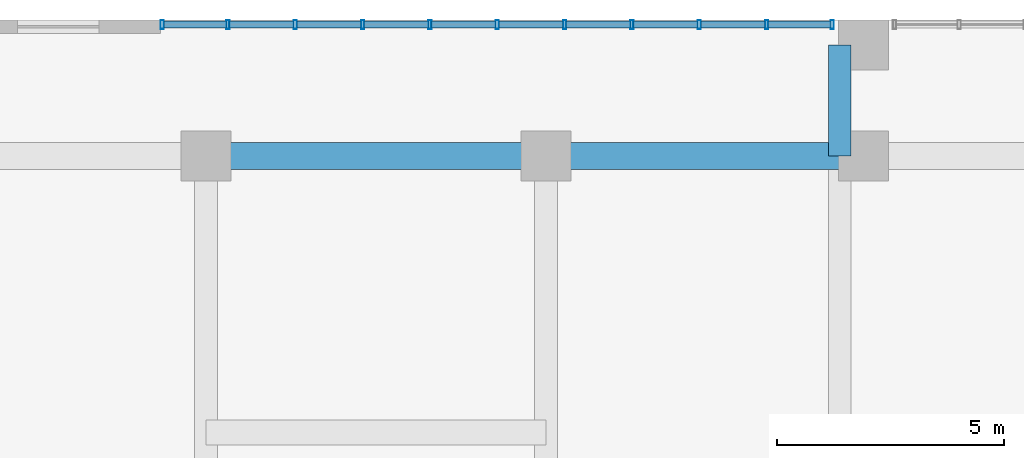
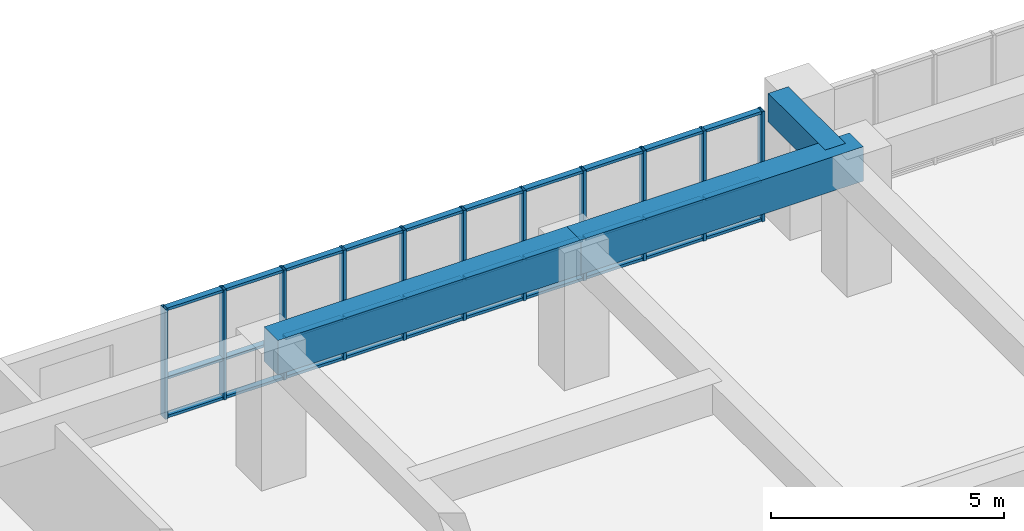
# One storey, part 10 of 30: 41 members, 3 beams, 1 element without a shape of its own.
"""IFC4 building model written with IfcOpenShell, lengths in metres."""

from ifc_helpers import new_model, si_unit, direction, frame, origin, origin_2d, place, context, subcontext, project, spatial, rectangle, hollow_rectangle, extrude, source, transform, mapped, material, layer, layer_set, material_profile, profile_set, type_object, element, aggregate, save


model = new_model("IFC4")

# Units and contexts
model_context = context("Model", 3, precision=1e-05, world=origin(), true_north=direction((0.0, 1.0)))
body_context = subcontext(model_context, "Body", "Model", "MODEL_VIEW")
ifc_project = project(units=[si_unit("LENGTHUNIT", "METRE"), si_unit("AREAUNIT", "SQUARE_METRE"), si_unit("VOLUMEUNIT", "CUBIC_METRE"), si_unit("PLANEANGLEUNIT", "RADIAN"), si_unit("MASSUNIT", "GRAM", prefix="KILO")], contexts=[model_context])

# Site, building, storey
site_placement = place(None, origin())
site = spatial("IfcSite", under=ifc_project, at=site_placement, CompositionType="ELEMENT")
building_placement = place(site_placement, origin())
building = spatial("IfcBuilding", under=site, at=building_placement, Name="Saelheon Loggia Tower", CompositionType="ELEMENT")
storey_placement = place(building_placement, frame((0.0, 0.0, 7.800048828125)))
storey = spatial("IfcBuildingStorey", under=building, at=storey_placement, Name="L02", CompositionType="ELEMENT", Elevation=7.800048828125)

# Beams
ifc_material_1 = material(Name="Concrete C50/60", Category="concrete")
ifc_material_profile_1 = material_profile(ifc_material_1, rectangle(XDim=0.60009765625, YDim=0.89990234375, at=origin_2d()), Name="RC-600x900")
ifc_profile_set_1 = profile_set([ifc_material_profile_1], Name="Concrete C50/60")
beam_type_1 = type_object("IfcBeamType", Name="Beam_MainGirder_RC600x900", PredefinedType="BEAM", material=ifc_profile_set_1)
shared_shape_1 = source(origin(), body_context, "Body", "SweptSolid", [
    extrude(rectangle(XDim=0.60009765625, YDim=0.89990234375, at=origin_2d()), origin(), (0.0, 0.0, 1.0), 7.5),
])
beam_1_placement = place(storey_placement, frame((17.0, 51.0, 3.14990234375), z_axis=(1.0, 0.0, 0.0), x_axis=(0.0, 1.0, 0.0)))
element("IfcBeam", 1, at=beam_1_placement, inside=storey, type_object=beam_type_1, Name="BM-L02-EW-51-3", PredefinedType="BEAM", context=body_context, shape_type="MappedRepresentation", body=[
    mapped(shared_shape_1, transform((0.0, 0.0, 0.0), scale=1.0)),
])
shared_shape_2 = source(origin(), body_context, "Body", "SweptSolid", [
    extrude(rectangle(XDim=0.60009765625, YDim=0.89990234375, at=origin_2d()), origin(), (0.0, 0.0, 1.0), 7.0),
])
beam_2_placement = place(storey_placement, frame((24.5, 51.0, 3.14990234375), z_axis=(1.0, 0.0, 0.0), x_axis=(0.0, 1.0, 0.0)))
element("IfcBeam", 2, at=beam_2_placement, inside=storey, type_object=beam_type_1, Name="BM-L02-EW-51-4", PredefinedType="BEAM", context=body_context, shape_type="MappedRepresentation", body=[
    mapped(shared_shape_2, transform((0.0, 0.0, 0.0), scale=1.0)),
])
ifc_material_2 = material(Name="Concrete C45/55", Category="concrete")
ifc_material_profile_2 = material_profile(ifc_material_2, rectangle(XDim=0.5, YDim=0.75, at=origin_2d()), Name="RC-500x750")
ifc_profile_set_2 = profile_set([ifc_material_profile_2], Name="Concrete C45/55")
beam_type_2 = type_object("IfcBeamType", Name="Beam_FloorGirder_RC500x750", PredefinedType="BEAM", material=ifc_profile_set_2)
shared_shape_3 = source(origin(), body_context, "Body", "SweptSolid", [
    extrude(rectangle(XDim=0.5, YDim=0.75, at=origin_2d()), origin(), (0.0, 0.0, 1.0), 2.449951171875),
])
beam_3_placement = place(storey_placement, frame((30.97998046875, 51.0, 3.224853515625), z_axis=(0.0, 1.0, 0.0), x_axis=(-1.0, 0.0, 0.0)))
element("IfcBeam", 3, at=beam_3_placement, inside=storey, type_object=beam_type_2, Name="BM-L02-NS-30-7", PredefinedType="BEAM", context=body_context, shape_type="MappedRepresentation", body=[
    mapped(shared_shape_3, transform((0.0, 0.0, 0.0), scale=1.0)),
])

# Curtain wall, members
ifc_material_3 = material(Name="Aluminium 6063-T6 and Low-E IGU", Category="aluminium")
ifc_layer = layer(ifc_material_3, 0.179931640625)
ifc_layer_set = layer_set([ifc_layer], Name="Aluminium 6063-T6 and Low-E IGU")
curtain_wall_type = type_object("IfcCurtainWallType", Name="CW_PodiumClinic", PredefinedType="NOTDEFINED", material=ifc_layer_set)
curtain_wall_placement = place(storey_placement, origin())
curtain_wall = element("IfcCurtainWall", 4, at=curtain_wall_placement, inside=storey, type_object=curtain_wall_type, Name="L02 North Clinic Curtain Wall 1", PredefinedType="NOTDEFINED")
ifc_material_4 = material(Name="Anodised Aluminium 6063-T6", Category="aluminium")
ifc_material_profile_3 = material_profile(ifc_material_4, hollow_rectangle(XDim=0.070068359375, YDim=0.14990234375, WallThickness=0.0048828125, at=origin_2d()), Name="RHS-150x70x5")
ifc_profile_set_3 = profile_set([ifc_material_profile_3], Name="Anodised Aluminium 6063-T6")
member_type_1 = type_object("IfcMemberType", Name="CW_PodiumClinic_Transom", PredefinedType="USERDEFINED", material=ifc_profile_set_3)
shared_shape_4 = source(origin(), body_context, "Body", "SweptSolid", [
    extrude(hollow_rectangle(XDim=0.070068359375, YDim=0.14990234375, WallThickness=0.0048828125, at=origin_2d()), origin(), (0.0, 0.0, 1.0), 1.3798828125),
])
member_1_placement = place(storey_placement, frame((16.070068359375, 53.89990234375, 0.034912109375), z_axis=(1.0, 0.0, 0.0), x_axis=(0.0, 0.0, 1.0)))
member_1 = element("IfcMember", 5, at=member_1_placement, type_object=member_type_1, Name="CW1 transom 1.1", ObjectType="TRANSOM", PredefinedType="USERDEFINED", context=body_context, shape_type="MappedRepresentation", body=[
    mapped(shared_shape_4, transform((0.0, 0.0, 0.0), scale=1.0)),
])
member_2_placement = place(storey_placement, frame((16.070068359375, 53.89990234375, 1.050048828125), z_axis=(1.0, 0.0, 0.0), x_axis=(0.0, 0.0, 1.0)))
member_2 = element("IfcMember", 6, at=member_2_placement, type_object=member_type_1, Name="CW1 transom 1.2", ObjectType="TRANSOM", PredefinedType="USERDEFINED", context=body_context, shape_type="MappedRepresentation", body=[
    mapped(shared_shape_4, transform((0.0, 0.0, 0.0), scale=1.0)),
])
member_3_placement = place(storey_placement, frame((16.070068359375, 53.89990234375, 2.844970703125), z_axis=(1.0, 0.0, 0.0), x_axis=(0.0, 0.0, 1.0)))
member_3 = element("IfcMember", 7, at=member_3_placement, type_object=member_type_1, Name="CW1 transom 1.3", ObjectType="TRANSOM", PredefinedType="USERDEFINED", context=body_context, shape_type="MappedRepresentation", body=[
    mapped(shared_shape_4, transform((0.0, 0.0, 0.0), scale=1.0)),
])
shared_shape_5 = source(origin(), body_context, "Body", "SweptSolid", [
    extrude(hollow_rectangle(XDim=0.070068359375, YDim=0.14990234375, WallThickness=0.0048828125, at=origin_2d()), origin(), (0.0, 0.0, 1.0), 1.4150390625),
])
member_4_placement = place(storey_placement, frame((17.52001953125, 53.89990234375, 0.034912109375), z_axis=(1.0, 0.0, 0.0), x_axis=(0.0, 0.0, 1.0)))
member_4 = element("IfcMember", 8, at=member_4_placement, type_object=member_type_1, Name="CW1 transom 2.1", ObjectType="TRANSOM", PredefinedType="USERDEFINED", context=body_context, shape_type="MappedRepresentation", body=[
    mapped(shared_shape_5, transform((0.0, 0.0, 0.0), scale=1.0)),
])
member_5_placement = place(storey_placement, frame((17.52001953125, 53.89990234375, 1.050048828125), z_axis=(1.0, 0.0, 0.0), x_axis=(0.0, 0.0, 1.0)))
member_5 = element("IfcMember", 9, at=member_5_placement, type_object=member_type_1, Name="CW1 transom 2.2", ObjectType="TRANSOM", PredefinedType="USERDEFINED", context=body_context, shape_type="MappedRepresentation", body=[
    mapped(shared_shape_5, transform((0.0, 0.0, 0.0), scale=1.0)),
])
member_6_placement = place(storey_placement, frame((17.52001953125, 53.89990234375, 2.844970703125), z_axis=(1.0, 0.0, 0.0), x_axis=(0.0, 0.0, 1.0)))
member_6 = element("IfcMember", 10, at=member_6_placement, type_object=member_type_1, Name="CW1 transom 2.3", ObjectType="TRANSOM", PredefinedType="USERDEFINED", context=body_context, shape_type="MappedRepresentation", body=[
    mapped(shared_shape_5, transform((0.0, 0.0, 0.0), scale=1.0)),
])
member_7_placement = place(storey_placement, frame((19.0048828125, 53.89990234375, 0.034912109375), z_axis=(1.0, 0.0, 0.0), x_axis=(0.0, 0.0, 1.0)))
member_7 = element("IfcMember", 11, at=member_7_placement, type_object=member_type_1, Name="CW1 transom 3.1", ObjectType="TRANSOM", PredefinedType="USERDEFINED", context=body_context, shape_type="MappedRepresentation", body=[
    mapped(shared_shape_5, transform((0.0, 0.0, 0.0), scale=1.0)),
])
member_8_placement = place(storey_placement, frame((19.0048828125, 53.89990234375, 1.050048828125), z_axis=(1.0, 0.0, 0.0), x_axis=(0.0, 0.0, 1.0)))
member_8 = element("IfcMember", 12, at=member_8_placement, type_object=member_type_1, Name="CW1 transom 3.2", ObjectType="TRANSOM", PredefinedType="USERDEFINED", context=body_context, shape_type="MappedRepresentation", body=[
    mapped(shared_shape_5, transform((0.0, 0.0, 0.0), scale=1.0)),
])
member_9_placement = place(storey_placement, frame((19.0048828125, 53.89990234375, 2.844970703125), z_axis=(1.0, 0.0, 0.0), x_axis=(0.0, 0.0, 1.0)))
member_9 = element("IfcMember", 13, at=member_9_placement, type_object=member_type_1, Name="CW1 transom 3.3", ObjectType="TRANSOM", PredefinedType="USERDEFINED", context=body_context, shape_type="MappedRepresentation", body=[
    mapped(shared_shape_5, transform((0.0, 0.0, 0.0), scale=1.0)),
])
member_10_placement = place(storey_placement, frame((20.489990234375, 53.89990234375, 0.034912109375), z_axis=(1.0, 0.0, 0.0), x_axis=(0.0, 0.0, 1.0)))
member_10 = element("IfcMember", 14, at=member_10_placement, type_object=member_type_1, Name="CW1 transom 4.1", ObjectType="TRANSOM", PredefinedType="USERDEFINED", context=body_context, shape_type="MappedRepresentation", body=[
    mapped(shared_shape_5, transform((0.0, 0.0, 0.0), scale=1.0)),
])
member_11_placement = place(storey_placement, frame((20.489990234375, 53.89990234375, 1.050048828125), z_axis=(1.0, 0.0, 0.0), x_axis=(0.0, 0.0, 1.0)))
member_11 = element("IfcMember", 15, at=member_11_placement, type_object=member_type_1, Name="CW1 transom 4.2", ObjectType="TRANSOM", PredefinedType="USERDEFINED", context=body_context, shape_type="MappedRepresentation", body=[
    mapped(shared_shape_5, transform((0.0, 0.0, 0.0), scale=1.0)),
])
member_12_placement = place(storey_placement, frame((20.489990234375, 53.89990234375, 2.844970703125), z_axis=(1.0, 0.0, 0.0), x_axis=(0.0, 0.0, 1.0)))
member_12 = element("IfcMember", 16, at=member_12_placement, type_object=member_type_1, Name="CW1 transom 4.3", ObjectType="TRANSOM", PredefinedType="USERDEFINED", context=body_context, shape_type="MappedRepresentation", body=[
    mapped(shared_shape_5, transform((0.0, 0.0, 0.0), scale=1.0)),
])
member_13_placement = place(storey_placement, frame((23.4599609375, 53.89990234375, 0.034912109375), z_axis=(1.0, 0.0, 0.0), x_axis=(0.0, 0.0, 1.0)))
member_13 = element("IfcMember", 17, at=member_13_placement, type_object=member_type_1, Name="CW1 transom 6.1", ObjectType="TRANSOM", PredefinedType="USERDEFINED", context=body_context, shape_type="MappedRepresentation", body=[
    mapped(shared_shape_5, transform((0.0, 0.0, 0.0), scale=1.0)),
])
member_14_placement = place(storey_placement, frame((23.4599609375, 53.89990234375, 1.050048828125), z_axis=(1.0, 0.0, 0.0), x_axis=(0.0, 0.0, 1.0)))
member_14 = element("IfcMember", 18, at=member_14_placement, type_object=member_type_1, Name="CW1 transom 6.2", ObjectType="TRANSOM", PredefinedType="USERDEFINED", context=body_context, shape_type="MappedRepresentation", body=[
    mapped(shared_shape_5, transform((0.0, 0.0, 0.0), scale=1.0)),
])
member_15_placement = place(storey_placement, frame((23.4599609375, 53.89990234375, 2.844970703125), z_axis=(1.0, 0.0, 0.0), x_axis=(0.0, 0.0, 1.0)))
member_15 = element("IfcMember", 19, at=member_15_placement, type_object=member_type_1, Name="CW1 transom 6.3", ObjectType="TRANSOM", PredefinedType="USERDEFINED", context=body_context, shape_type="MappedRepresentation", body=[
    mapped(shared_shape_5, transform((0.0, 0.0, 0.0), scale=1.0)),
])
member_16_placement = place(storey_placement, frame((24.945068359375, 53.89990234375, 0.034912109375), z_axis=(1.0, 0.0, 0.0), x_axis=(0.0, 0.0, 1.0)))
member_16 = element("IfcMember", 20, at=member_16_placement, type_object=member_type_1, Name="CW1 transom 7.1", ObjectType="TRANSOM", PredefinedType="USERDEFINED", context=body_context, shape_type="MappedRepresentation", body=[
    mapped(shared_shape_5, transform((0.0, 0.0, 0.0), scale=1.0)),
])
member_17_placement = place(storey_placement, frame((24.945068359375, 53.89990234375, 1.050048828125), z_axis=(1.0, 0.0, 0.0), x_axis=(0.0, 0.0, 1.0)))
member_17 = element("IfcMember", 21, at=member_17_placement, type_object=member_type_1, Name="CW1 transom 7.2", ObjectType="TRANSOM", PredefinedType="USERDEFINED", context=body_context, shape_type="MappedRepresentation", body=[
    mapped(shared_shape_5, transform((0.0, 0.0, 0.0), scale=1.0)),
])
member_18_placement = place(storey_placement, frame((24.945068359375, 53.89990234375, 2.844970703125), z_axis=(1.0, 0.0, 0.0), x_axis=(0.0, 0.0, 1.0)))
member_18 = element("IfcMember", 22, at=member_18_placement, type_object=member_type_1, Name="CW1 transom 7.3", ObjectType="TRANSOM", PredefinedType="USERDEFINED", context=body_context, shape_type="MappedRepresentation", body=[
    mapped(shared_shape_5, transform((0.0, 0.0, 0.0), scale=1.0)),
])
member_19_placement = place(storey_placement, frame((26.429931640625, 53.89990234375, 0.034912109375), z_axis=(1.0, 0.0, 0.0), x_axis=(0.0, 0.0, 1.0)))
member_19 = element("IfcMember", 23, at=member_19_placement, type_object=member_type_1, Name="CW1 transom 8.1", ObjectType="TRANSOM", PredefinedType="USERDEFINED", context=body_context, shape_type="MappedRepresentation", body=[
    mapped(shared_shape_5, transform((0.0, 0.0, 0.0), scale=1.0)),
])
member_20_placement = place(storey_placement, frame((26.429931640625, 53.89990234375, 1.050048828125), z_axis=(1.0, 0.0, 0.0), x_axis=(0.0, 0.0, 1.0)))
member_20 = element("IfcMember", 24, at=member_20_placement, type_object=member_type_1, Name="CW1 transom 8.2", ObjectType="TRANSOM", PredefinedType="USERDEFINED", context=body_context, shape_type="MappedRepresentation", body=[
    mapped(shared_shape_5, transform((0.0, 0.0, 0.0), scale=1.0)),
])
member_21_placement = place(storey_placement, frame((26.429931640625, 53.89990234375, 2.844970703125), z_axis=(1.0, 0.0, 0.0), x_axis=(0.0, 0.0, 1.0)))
member_21 = element("IfcMember", 25, at=member_21_placement, type_object=member_type_1, Name="CW1 transom 8.3", ObjectType="TRANSOM", PredefinedType="USERDEFINED", context=body_context, shape_type="MappedRepresentation", body=[
    mapped(shared_shape_5, transform((0.0, 0.0, 0.0), scale=1.0)),
])
member_22_placement = place(storey_placement, frame((27.9150390625, 53.89990234375, 0.034912109375), z_axis=(1.0, 0.0, 0.0), x_axis=(0.0, 0.0, 1.0)))
member_22 = element("IfcMember", 26, at=member_22_placement, type_object=member_type_1, Name="CW1 transom 9.1", ObjectType="TRANSOM", PredefinedType="USERDEFINED", context=body_context, shape_type="MappedRepresentation", body=[
    mapped(shared_shape_5, transform((0.0, 0.0, 0.0), scale=1.0)),
])
member_23_placement = place(storey_placement, frame((27.9150390625, 53.89990234375, 1.050048828125), z_axis=(1.0, 0.0, 0.0), x_axis=(0.0, 0.0, 1.0)))
member_23 = element("IfcMember", 27, at=member_23_placement, type_object=member_type_1, Name="CW1 transom 9.2", ObjectType="TRANSOM", PredefinedType="USERDEFINED", context=body_context, shape_type="MappedRepresentation", body=[
    mapped(shared_shape_5, transform((0.0, 0.0, 0.0), scale=1.0)),
])
member_24_placement = place(storey_placement, frame((27.9150390625, 53.89990234375, 2.844970703125), z_axis=(1.0, 0.0, 0.0), x_axis=(0.0, 0.0, 1.0)))
member_24 = element("IfcMember", 28, at=member_24_placement, type_object=member_type_1, Name="CW1 transom 9.3", ObjectType="TRANSOM", PredefinedType="USERDEFINED", context=body_context, shape_type="MappedRepresentation", body=[
    mapped(shared_shape_5, transform((0.0, 0.0, 0.0), scale=1.0)),
])
shared_shape_6 = source(origin(), body_context, "Body", "SweptSolid", [
    extrude(hollow_rectangle(XDim=0.070068359375, YDim=0.14990234375, WallThickness=0.0048828125, at=origin_2d()), origin(), (0.0, 0.0, 1.0), 1.414794921875),
])
member_25_placement = place(storey_placement, frame((21.97509765625, 53.89990234375, 0.034912109375), z_axis=(1.0, 0.0, 0.0), x_axis=(0.0, 0.0, 1.0)))
member_25 = element("IfcMember", 29, at=member_25_placement, type_object=member_type_1, Name="CW1 transom 5.1", ObjectType="TRANSOM", PredefinedType="USERDEFINED", context=body_context, shape_type="MappedRepresentation", body=[
    mapped(shared_shape_6, transform((0.0, 0.0, 0.0), scale=1.0)),
])
member_26_placement = place(storey_placement, frame((21.97509765625, 53.89990234375, 1.050048828125), z_axis=(1.0, 0.0, 0.0), x_axis=(0.0, 0.0, 1.0)))
member_26 = element("IfcMember", 30, at=member_26_placement, type_object=member_type_1, Name="CW1 transom 5.2", ObjectType="TRANSOM", PredefinedType="USERDEFINED", context=body_context, shape_type="MappedRepresentation", body=[
    mapped(shared_shape_6, transform((0.0, 0.0, 0.0), scale=1.0)),
])
member_27_placement = place(storey_placement, frame((21.97509765625, 53.89990234375, 2.844970703125), z_axis=(1.0, 0.0, 0.0), x_axis=(0.0, 0.0, 1.0)))
member_27 = element("IfcMember", 31, at=member_27_placement, type_object=member_type_1, Name="CW1 transom 5.3", ObjectType="TRANSOM", PredefinedType="USERDEFINED", context=body_context, shape_type="MappedRepresentation", body=[
    mapped(shared_shape_6, transform((0.0, 0.0, 0.0), scale=1.0)),
])
shared_shape_7 = source(origin(), body_context, "Body", "SweptSolid", [
    extrude(hollow_rectangle(XDim=0.070068359375, YDim=0.14990234375, WallThickness=0.0048828125, at=origin_2d()), origin(), (0.0, 0.0, 1.0), 1.380126953125),
])
member_28_placement = place(storey_placement, frame((29.39990234375, 53.89990234375, 0.034912109375), z_axis=(1.0, 0.0, 0.0), x_axis=(0.0, 0.0, 1.0)))
member_28 = element("IfcMember", 32, at=member_28_placement, type_object=member_type_1, Name="CW1 transom 10.1", ObjectType="TRANSOM", PredefinedType="USERDEFINED", context=body_context, shape_type="MappedRepresentation", body=[
    mapped(shared_shape_7, transform((0.0, 0.0, 0.0), scale=1.0)),
])
member_29_placement = place(storey_placement, frame((29.39990234375, 53.89990234375, 1.050048828125), z_axis=(1.0, 0.0, 0.0), x_axis=(0.0, 0.0, 1.0)))
member_29 = element("IfcMember", 33, at=member_29_placement, type_object=member_type_1, Name="CW1 transom 10.2", ObjectType="TRANSOM", PredefinedType="USERDEFINED", context=body_context, shape_type="MappedRepresentation", body=[
    mapped(shared_shape_7, transform((0.0, 0.0, 0.0), scale=1.0)),
])
member_30_placement = place(storey_placement, frame((29.39990234375, 53.89990234375, 2.844970703125), z_axis=(1.0, 0.0, 0.0), x_axis=(0.0, 0.0, 1.0)))
member_30 = element("IfcMember", 34, at=member_30_placement, type_object=member_type_1, Name="CW1 transom 10.3", ObjectType="TRANSOM", PredefinedType="USERDEFINED", context=body_context, shape_type="MappedRepresentation", body=[
    mapped(shared_shape_7, transform((0.0, 0.0, 0.0), scale=1.0)),
])
ifc_material_profile_4 = material_profile(ifc_material_4, hollow_rectangle(XDim=0.070068359375, YDim=0.199951171875, WallThickness=0.0048828125, at=origin_2d()), Name="RHS-200x70x5")
ifc_profile_set_4 = profile_set([ifc_material_profile_4], Name="Anodised Aluminium 6063-T6")
member_type_2 = type_object("IfcMemberType", Name="CW_PodiumClinic_Mullion", PredefinedType="MULLION", material=ifc_profile_set_4)
shared_shape_8 = source(origin(), body_context, "Body", "SweptSolid", [
    extrude(hollow_rectangle(XDim=0.070068359375, YDim=0.199951171875, WallThickness=0.0048828125, at=origin_2d()), origin(), (0.0, 0.0, 1.0), 2.8798828125),
])
member_31_placement = place(storey_placement, frame((16.034912109375, 53.89990234375, 0.0), z_axis=(0.0, 0.0, 1.0), x_axis=(1.0, 0.0, 0.0)))
member_31 = element("IfcMember", 35, at=member_31_placement, type_object=member_type_2, Name="CW1 mullion 1", PredefinedType="MULLION", context=body_context, shape_type="MappedRepresentation", body=[
    mapped(shared_shape_8, transform((0.0, 0.0, 0.0), scale=1.0)),
])
member_32_placement = place(storey_placement, frame((17.485107421875, 53.89990234375, 0.0), z_axis=(0.0, 0.0, 1.0), x_axis=(1.0, 0.0, 0.0)))
member_32 = element("IfcMember", 36, at=member_32_placement, type_object=member_type_2, Name="CW1 mullion 2", PredefinedType="MULLION", context=body_context, shape_type="MappedRepresentation", body=[
    mapped(shared_shape_8, transform((0.0, 0.0, 0.0), scale=1.0)),
])
member_33_placement = place(storey_placement, frame((18.969970703125, 53.89990234375, 0.0), z_axis=(0.0, 0.0, 1.0), x_axis=(1.0, 0.0, 0.0)))
member_33 = element("IfcMember", 37, at=member_33_placement, type_object=member_type_2, Name="CW1 mullion 3", PredefinedType="MULLION", context=body_context, shape_type="MappedRepresentation", body=[
    mapped(shared_shape_8, transform((0.0, 0.0, 0.0), scale=1.0)),
])
member_34_placement = place(storey_placement, frame((20.455078125, 53.89990234375, 0.0), z_axis=(0.0, 0.0, 1.0), x_axis=(1.0, 0.0, 0.0)))
member_34 = element("IfcMember", 38, at=member_34_placement, type_object=member_type_2, Name="CW1 mullion 4", PredefinedType="MULLION", context=body_context, shape_type="MappedRepresentation", body=[
    mapped(shared_shape_8, transform((0.0, 0.0, 0.0), scale=1.0)),
])
member_35_placement = place(storey_placement, frame((21.93994140625, 53.89990234375, 0.0), z_axis=(0.0, 0.0, 1.0), x_axis=(1.0, 0.0, 0.0)))
member_35 = element("IfcMember", 39, at=member_35_placement, type_object=member_type_2, Name="CW1 mullion 5", PredefinedType="MULLION", context=body_context, shape_type="MappedRepresentation", body=[
    mapped(shared_shape_8, transform((0.0, 0.0, 0.0), scale=1.0)),
])
member_36_placement = place(storey_placement, frame((23.425048828125, 53.89990234375, 0.0), z_axis=(0.0, 0.0, 1.0), x_axis=(1.0, 0.0, 0.0)))
member_36 = element("IfcMember", 40, at=member_36_placement, type_object=member_type_2, Name="CW1 mullion 6", PredefinedType="MULLION", context=body_context, shape_type="MappedRepresentation", body=[
    mapped(shared_shape_8, transform((0.0, 0.0, 0.0), scale=1.0)),
])
member_37_placement = place(storey_placement, frame((24.909912109375, 53.89990234375, 0.0), z_axis=(0.0, 0.0, 1.0), x_axis=(1.0, 0.0, 0.0)))
member_37 = element("IfcMember", 41, at=member_37_placement, type_object=member_type_2, Name="CW1 mullion 7", PredefinedType="MULLION", context=body_context, shape_type="MappedRepresentation", body=[
    mapped(shared_shape_8, transform((0.0, 0.0, 0.0), scale=1.0)),
])
member_38_placement = place(storey_placement, frame((26.39501953125, 53.89990234375, 0.0), z_axis=(0.0, 0.0, 1.0), x_axis=(1.0, 0.0, 0.0)))
member_38 = element("IfcMember", 42, at=member_38_placement, type_object=member_type_2, Name="CW1 mullion 8", PredefinedType="MULLION", context=body_context, shape_type="MappedRepresentation", body=[
    mapped(shared_shape_8, transform((0.0, 0.0, 0.0), scale=1.0)),
])
member_39_placement = place(storey_placement, frame((27.8798828125, 53.89990234375, 0.0), z_axis=(0.0, 0.0, 1.0), x_axis=(1.0, 0.0, 0.0)))
member_39 = element("IfcMember", 43, at=member_39_placement, type_object=member_type_2, Name="CW1 mullion 9", PredefinedType="MULLION", context=body_context, shape_type="MappedRepresentation", body=[
    mapped(shared_shape_8, transform((0.0, 0.0, 0.0), scale=1.0)),
])
member_40_placement = place(storey_placement, frame((29.364990234375, 53.89990234375, 0.0), z_axis=(0.0, 0.0, 1.0), x_axis=(1.0, 0.0, 0.0)))
member_40 = element("IfcMember", 44, at=member_40_placement, type_object=member_type_2, Name="CW1 mullion 10", PredefinedType="MULLION", context=body_context, shape_type="MappedRepresentation", body=[
    mapped(shared_shape_8, transform((0.0, 0.0, 0.0), scale=1.0)),
])
member_41_placement = place(storey_placement, frame((30.81494140625, 53.89990234375, 0.0), z_axis=(0.0, 0.0, 1.0), x_axis=(1.0, 0.0, 0.0)))
member_41 = element("IfcMember", 45, at=member_41_placement, type_object=member_type_2, Name="CW1 mullion 11", PredefinedType="MULLION", context=body_context, shape_type="MappedRepresentation", body=[
    mapped(shared_shape_8, transform((0.0, 0.0, 0.0), scale=1.0)),
])
aggregate(curtain_wall, [member_31, member_32, member_33, member_34, member_35, member_36, member_37, member_38, member_39, member_40, member_41, member_1, member_2, member_3, member_4, member_5, member_6, member_7, member_8, member_9, member_10, member_11, member_12, member_25, member_26, member_27, member_13, member_14, member_15, member_16, member_17, member_18, member_19, member_20, member_21, member_22, member_23, member_24, member_28, member_29, member_30])

save(model, "model.ifc")
